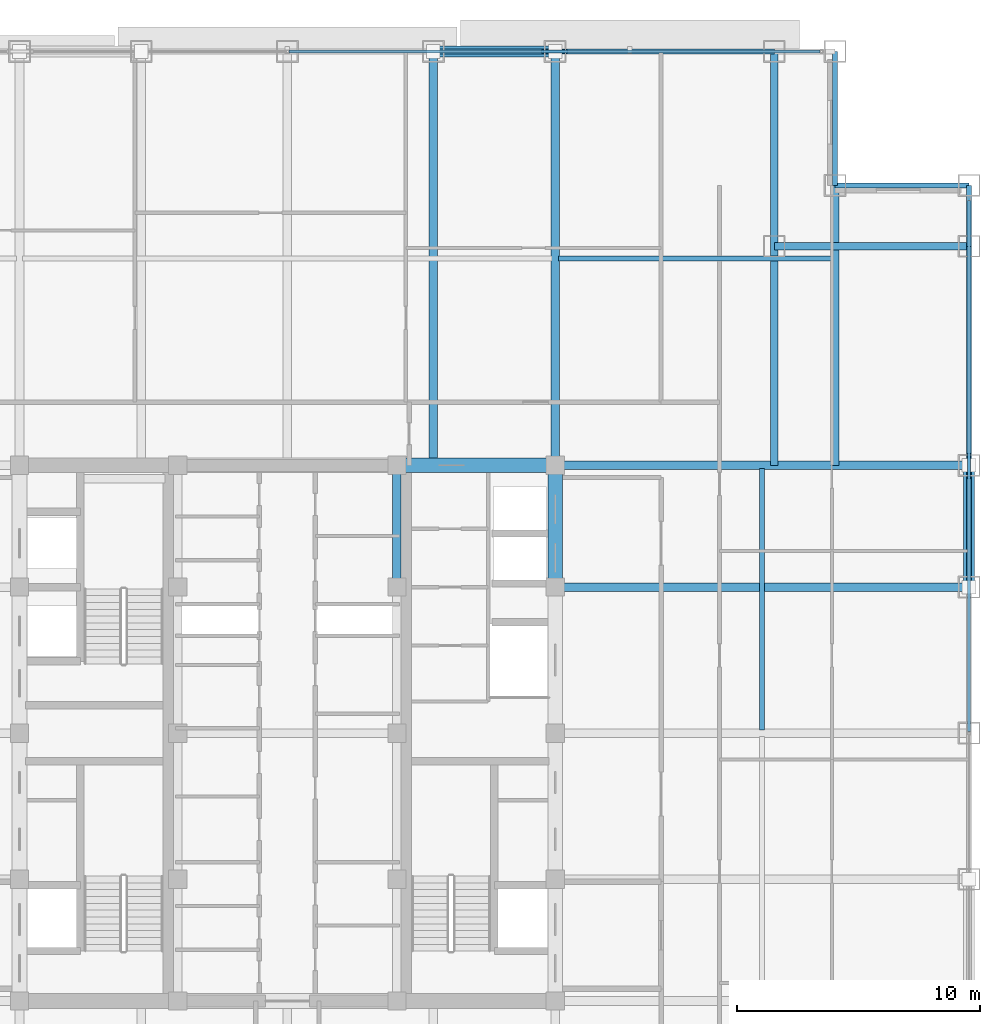
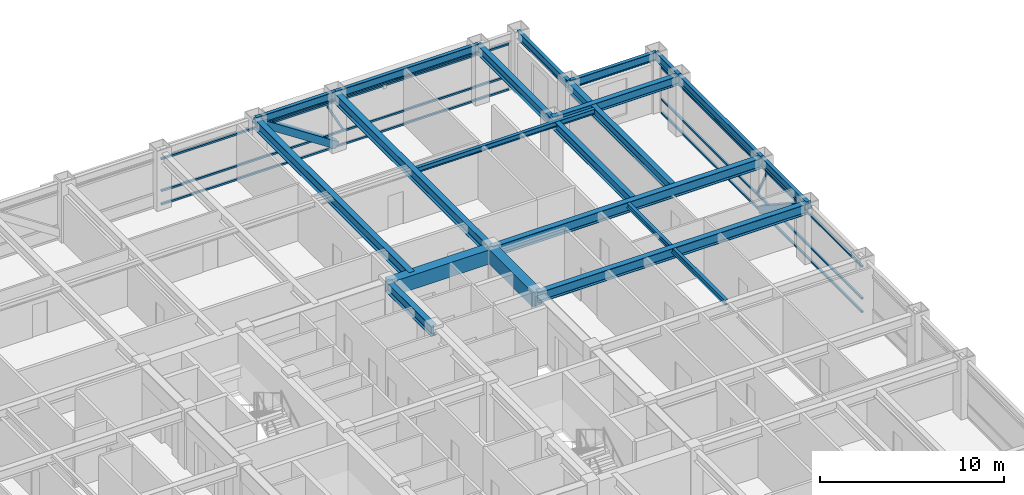
# One storey, part 17 of 29: 19 beams, 10 members, 2 elements without a shape of their own.
"""IFC4 building model written with IfcOpenShell, lengths in metres."""

import ifcopenshell
import ifcopenshell.guid

model = None  # the IFC model being written
_history = None  # IfcOwnerHistory: only IFC2X3 demands one
_inside = {}  # id of a spatial element -> (the spatial element, [elements in it])
_under = {}  # id of a project, library or spatial element -> (it, [spatial elements below it])
_declared = {}  # id of a project -> (the project, [libraries it declares])
_typed = {}  # id of a type object -> (the type object, [elements of that type])
_made_of = {}  # id of a material, layer set ... -> (it, [elements and type objects made of it])


def new_model(schema):
    """Start an empty IFC model of exactly this schema.

    Asked for "IFC4X3", IfcOpenShell would pick the latest addendum, in which some entities
    have other attributes; the version numbers below select the first issue.
    IFC2X3 requires an IfcOwnerHistory on every rooted entity: one is made here for all.
    """
    global model, _history
    if schema == "IFC4X3":
        model = ifcopenshell.file(schema_version=(4, 3, 0, 0))
    else:
        model = ifcopenshell.file(schema=schema)
    _inside.clear()
    _under.clear()
    _declared.clear()
    _typed.clear()
    _made_of.clear()
    _history = None
    if model.schema == "IFC2X3":
        org = make("IfcOrganization", Name="unknown")
        user = make(
            "IfcPersonAndOrganization",
            ThePerson=make("IfcPerson", FamilyName="unknown"),
            TheOrganization=org,
        )
        app = make(
            "IfcApplication",
            ApplicationDeveloper=org,
            Version="unknown",
            ApplicationFullName="unknown",
            ApplicationIdentifier="unknown",
        )
        _history = make(
            "IfcOwnerHistory",
            OwningUser=user,
            OwningApplication=app,
            ChangeAction="ADDED",
            CreationDate=0,
        )
    return model


def make(cls, **values):
    """One entity of the class cls with the attributes given. An attribute that is None is left unset."""
    return model.create_entity(
        cls, **{name: value for name, value in values.items() if value is not None}
    )


def rooted(cls, **values):
    """An entity with a GlobalId (a new one), such as an element, a storey or a relation."""
    return make(cls, GlobalId=ifcopenshell.guid.new(), OwnerHistory=_history, **values)


def si_unit(unit_type, name, prefix=None):
    """IfcSIUnit, for example si_unit("LENGTHUNIT", "METRE", prefix="MILLI")."""
    return make("IfcSIUnit", UnitType=unit_type, Prefix=prefix, Name=name)


def assignment(units):
    """IfcUnitAssignment: the units of a project."""
    return None if units is None else make("IfcUnitAssignment", Units=units)


def point(xyz):
    """IfcCartesianPoint."""
    return None if xyz is None else make("IfcCartesianPoint", Coordinates=xyz)


def direction(xyz):
    """IfcDirection."""
    return None if xyz is None else make("IfcDirection", DirectionRatios=xyz)


def frame(location, z_axis=None, x_axis=None):
    """IfcAxis2Placement3D, a coordinate frame: its origin and axes. An axis left out is left unset."""
    return make(
        "IfcAxis2Placement3D",
        Location=point(location),
        Axis=direction(z_axis),
        RefDirection=direction(x_axis),
    )


def frame_2d(location, x_axis=None):
    """IfcAxis2Placement2D, a coordinate frame in the plane: its origin and x axis."""
    return make(
        "IfcAxis2Placement2D", Location=point(location), RefDirection=direction(x_axis)
    )


def origin():
    """The frame at (0, 0, 0) with its axes left unset."""
    return frame((0.0, 0.0, 0.0))


def origin_2d():
    """The frame at (0, 0) in the plane with its x axis left unset."""
    return frame_2d((0.0, 0.0))


def place(relative_to, where):
    """IfcLocalPlacement: puts the frame where relative to a parent placement (None: the world)."""
    return make(
        "IfcLocalPlacement", PlacementRelTo=relative_to, RelativePlacement=where
    )


def context(
    kind, dimensions, precision=None, world=None, true_north=None, identifier=None
):
    """IfcGeometricRepresentationContext, for example the 3D "Model" context."""
    return make(
        "IfcGeometricRepresentationContext",
        ContextIdentifier=identifier,
        ContextType=kind,
        CoordinateSpaceDimension=dimensions,
        Precision=precision,
        WorldCoordinateSystem=world,
        TrueNorth=true_north,
    )


def subcontext(parent, identifier, kind, view, scale=None):
    """IfcGeometricRepresentationSubContext, for example "Body" below "Model"."""
    return make(
        "IfcGeometricRepresentationSubContext",
        ContextIdentifier=identifier,
        ContextType=kind,
        ParentContext=parent,
        TargetScale=scale,
        TargetView=view,
    )


def project(units=None, contexts=None):
    """IfcProject with its units and contexts."""
    return rooted(
        "IfcProject",
        Name="project",
        RepresentationContexts=contexts,
        UnitsInContext=assignment(units),
    )


def spatial(cls, under=None, at=None, **own):
    """A site, building, storey or space (cls), placed at a placement, below another one or the project."""
    s = rooted(cls, ObjectPlacement=at, **own)
    if under is not None:
        _under.setdefault(under.id(), (under, []))[1].append(s)
    return s


def profile(cls, at=None, kind="AREA", **sizes):
    """A parametric profile (cls). Its sizes go by their IFC names, for example OverallWidth=200.0."""
    return make(cls, ProfileType=kind, Position=at, **sizes)


def rectangle(**sizes):
    """IfcRectangleProfileDef."""
    return profile("IfcRectangleProfileDef", **sizes)


def hollow_rectangle(**sizes):
    """IfcRectangleHollowProfileDef."""
    return profile("IfcRectangleHollowProfileDef", **sizes)


def i_section(**sizes):
    """IfcIShapeProfileDef."""
    return profile("IfcIShapeProfileDef", **sizes)


def extrude(swept, where, along, depth):
    """IfcExtrudedAreaSolid: the profile swept, set in the frame where, extruded along a direction by depth."""
    return make(
        "IfcExtrudedAreaSolid",
        SweptArea=swept,
        Position=where,
        ExtrudedDirection=direction(along),
        Depth=depth,
    )


def shape(context_of_items, identifier, shape_type, items):
    """IfcShapeRepresentation: the items that make up one representation, for example the "Body"."""
    return make(
        "IfcShapeRepresentation",
        ContextOfItems=context_of_items,
        RepresentationIdentifier=identifier,
        RepresentationType=shape_type,
        Items=items,
    )


def source(mapping_origin, context_of_items, identifier, shape_type, items):
    """IfcRepresentationMap: a shape defined once, which mapped items show again and again."""
    return make(
        "IfcRepresentationMap",
        MappingOrigin=mapping_origin,
        MappedRepresentation=shape(context_of_items, identifier, shape_type, items),
    )


def transform(
    local_origin,
    x_axis=None,
    y_axis=None,
    z_axis=None,
    scale=None,
    scale2=None,
    scale3=None,
    uniform=True,
):
    """IfcCartesianTransformationOperator3D, or its non-uniform kind. x_axis, y_axis, z_axis: its Axis1, 2, 3."""
    if uniform:
        return make(
            "IfcCartesianTransformationOperator3D",
            Axis1=direction(x_axis),
            Axis2=direction(y_axis),
            LocalOrigin=point(local_origin),
            Scale=scale,
            Axis3=direction(z_axis),
        )
    return make(
        "IfcCartesianTransformationOperator3DnonUniform",
        Axis1=direction(x_axis),
        Axis2=direction(y_axis),
        LocalOrigin=point(local_origin),
        Scale=scale,
        Axis3=direction(z_axis),
        Scale2=scale2,
        Scale3=scale3,
    )


def mapped(mapping_source, mapping_target):
    """IfcMappedItem: shows the shape of a source again, moved by a transform."""
    return make(
        "IfcMappedItem", MappingSource=mapping_source, MappingTarget=mapping_target
    )


def material(Name=None, Category=None):
    """IfcMaterial."""
    return make("IfcMaterial", Name=Name, Category=Category)


def material_profile(
    of_material, cross_section, Name=None, Category=None, Priority=None
):
    """IfcMaterialProfile: a cross section and its material."""
    return make(
        "IfcMaterialProfile",
        Name=Name,
        Material=of_material,
        Profile=cross_section,
        Priority=Priority,
        Category=Category,
    )


def profile_set(profiles, Name=None, composite=None):
    """IfcMaterialProfileSet."""
    return make(
        "IfcMaterialProfileSet",
        Name=Name,
        MaterialProfiles=profiles,
        CompositeProfile=composite,
    )


def made_of(thing, what):
    """Note that an element or type object is made of a material, layer set ...; save() writes the relation."""
    if what is not None:
        _made_of.setdefault(what.id(), (what, []))[1].append(thing)
    return thing


def type_object(cls, material=None, **own):
    """A type object (cls), such as IfcWallType, which elements share."""
    return made_of(rooted(cls, **own), material)


def element(
    cls,
    number,
    at=None,
    inside=None,
    cuts=None,
    type_object=None,
    material=None,
    context=None,
    identifier="Body",
    shape_type=None,
    held_by="IfcProductDefinitionShape",
    body=None,
    shapes=None,
    **own,
):
    """One element of the class cls, such as IfcWall. Its Tag is "e" and its number.

    at: its placement. inside: the storey or other place that contains it. cuts: it is an
    opening in that element (IfcRelVoidsElement). A single representation is given by context,
    identifier, shape_type and body (its items); several are given by shapes. held_by: the class
    of the entity that holds the representations. save() writes the other relations.
    """
    e = rooted(cls, Tag="e%d" % number, ObjectPlacement=at, **own)
    if body is not None:
        shapes = [shape(context, identifier, shape_type, body)]
    if shapes is not None:
        e.Representation = make(held_by, Representations=shapes)
    if inside is not None:
        _inside.setdefault(inside.id(), (inside, []))[1].append(e)
    if cuts is not None:
        rooted(
            "IfcRelVoidsElement", RelatingBuildingElement=cuts, RelatedOpeningElement=e
        )
    if type_object is not None:
        _typed.setdefault(type_object.id(), (type_object, []))[1].append(e)
    return made_of(e, material)


def aggregate(whole, parts):
    """IfcRelAggregates: a whole, such as a stair, and the parts it consists of."""
    return rooted("IfcRelAggregates", RelatingObject=whole, RelatedObjects=parts)


def save(model, path):
    """Write the relations noted so far, then the file.

    IfcRelAggregates (storeys below a building ...), IfcRelContainedInSpatialStructure (elements
    in a storey), IfcRelDefinesByType, IfcRelAssociatesMaterial and IfcRelDeclares: one each for
    every whole, place, type object, material and project.
    """
    for whole, parts in _under.values():
        aggregate(whole, parts)
    for where, things in _inside.values():
        rooted(
            "IfcRelContainedInSpatialStructure",
            RelatedElements=things,
            RelatingStructure=where,
        )
    for kind, things in _typed.values():
        rooted("IfcRelDefinesByType", RelatedObjects=things, RelatingType=kind)
    for what, things in _made_of.values():
        rooted("IfcRelAssociatesMaterial", RelatedObjects=things, RelatingMaterial=what)
    for by, libraries in _declared.values():
        rooted("IfcRelDeclares", RelatingContext=by, RelatedDefinitions=libraries)
    model.write(path)


model = new_model("IFC4")

# Units and contexts
model_context = context("Model", 3, precision=1e-05, world=origin(), true_north=direction((0.0, 1.0)))
body_context = subcontext(model_context, "Body", "Model", "MODEL_VIEW")
ifc_project = project(units=[si_unit("LENGTHUNIT", "METRE"), si_unit("AREAUNIT", "SQUARE_METRE"), si_unit("VOLUMEUNIT", "CUBIC_METRE"), si_unit("PLANEANGLEUNIT", "RADIAN"), si_unit("MASSUNIT", "GRAM", prefix="KILO")], contexts=[model_context])

# Site, building, storey
site_placement = place(None, origin())
site = spatial("IfcSite", under=ifc_project, at=site_placement, CompositionType="ELEMENT")
building_placement = place(site_placement, origin())
building = spatial("IfcBuilding", under=site, at=building_placement, Name="Khorayat Bourse Tower", CompositionType="ELEMENT")
storey_placement = place(building_placement, frame((0.0, 0.0, 277.5)))
storey = spatial("IfcBuildingStorey", under=building, at=storey_placement, Name="L65", CompositionType="ELEMENT", Elevation=277.5)

# Beams
ifc_material_1 = material(Name="Steel ASTM A992 Grade 50", Category="steel")
ifc_material_profile_1 = material_profile(ifc_material_1, i_section(OverallWidth=0.35498046875, OverallDepth=0.695068359375, WebThickness=0.015380859375, FlangeThickness=0.02490234375, FilletRadius=0.01806640625, at=origin_2d()), Name="W690X217")
ifc_profile_set_1 = profile_set([ifc_material_profile_1], Name="Steel ASTM A992 Grade 50")
beam_type_1 = type_object("IfcBeamType", Name="BM-GIRD-690", PredefinedType="BEAM", material=ifc_profile_set_1)
shared_shape_1 = source(origin(), body_context, "Body", "SweptSolid", [
    extrude(i_section(OverallWidth=0.35498046875, OverallDepth=0.695068359375, WebThickness=0.015380859375, FlangeThickness=0.02490234375, FilletRadius=0.01806640625, at=origin_2d()), origin(), (0.0, 0.0, 1.0), 5.0),
])
beam_1_placement = place(storey_placement, frame((4.5, 6.0, 3.4326171875), z_axis=(0.0, 1.0, 0.0), x_axis=(-1.0, 0.0, 0.0)))
element("IfcBeam", 1, at=beam_1_placement, inside=storey, type_object=beam_type_1, Name="L65 BM-GIRD-690 BM-L65-CRX-12", PredefinedType="BEAM", context=body_context, shape_type="MappedRepresentation", body=[
    mapped(shared_shape_1, transform((0.0, 0.0, 0.0), scale=1.0)),
])
ifc_material_profile_2 = material_profile(ifc_material_1, i_section(OverallWidth=0.324951171875, OverallDepth=0.615966796875, WebThickness=0.013916015625, FlangeThickness=0.021484375, FilletRadius=0.01611328125, at=origin_2d()), Name="W610X174")
ifc_profile_set_2 = profile_set([ifc_material_profile_2], Name="Steel ASTM A992 Grade 50")
beam_type_2 = type_object("IfcBeamType", Name="BM-GIRD-610", PredefinedType="BEAM", material=ifc_profile_set_2)
shared_shape_2 = source(origin(), body_context, "Body", "SweptSolid", [
    extrude(i_section(OverallWidth=0.324951171875, OverallDepth=0.615966796875, WebThickness=0.013916015625, FlangeThickness=0.021484375, FilletRadius=0.01611328125, at=origin_2d()), origin(), (0.0, 0.0, 1.0), 17.0),
])
beam_2_placement = place(storey_placement, frame((20.0, 11.0, 3.471923828125), z_axis=(0.0, 1.0, 0.0), x_axis=(-1.0, 0.0, 0.0)))
element("IfcBeam", 2, at=beam_2_placement, inside=storey, type_object=beam_type_2, Name="L65 BM-GIRD-610 BM-L65-CNRY-087", PredefinedType="BEAM", context=body_context, shape_type="MappedRepresentation", body=[
    mapped(shared_shape_2, transform((0.0, 0.0, 0.0), scale=1.0)),
])
ifc_material_2 = material(Name="Concrete C60/75", Category="concrete")
ifc_material_profile_3 = material_profile(ifc_material_2, rectangle(XDim=0.60009765625, YDim=0.949951171875, at=origin_2d()), Name="RC 600x950")
ifc_profile_set_3 = profile_set([ifc_material_profile_3], Name="Concrete C60/75")
beam_type_3 = type_object("IfcBeamType", Name="BM-COUP-950", PredefinedType="BEAM", material=ifc_profile_set_3)
shared_shape_3 = source(origin(), body_context, "Body", "SweptSolid", [
    extrude(rectangle(XDim=0.60009765625, YDim=0.949951171875, at=origin_2d()), origin(), (0.0, 0.0, 1.0), 5.0),
])
beam_3_placement = place(storey_placement, frame((11.0, 6.0, 3.304931640625), z_axis=(0.0, 1.0, 0.0), x_axis=(-1.0, 0.0, 0.0)))
element("IfcBeam", 3, at=beam_3_placement, inside=storey, type_object=beam_type_3, Name="L65 BM-COUP-950 BM-L65-CRX-16", PredefinedType="BEAM", context=body_context, shape_type="MappedRepresentation", body=[
    mapped(shared_shape_3, transform((0.0, 0.0, 0.0), scale=1.0)),
])
shared_shape_4 = source(origin(), body_context, "Body", "SweptSolid", [
    extrude(rectangle(XDim=0.60009765625, YDim=0.949951171875, at=origin_2d()), origin(), (0.0, 0.0, 1.0), 6.5),
])
beam_4_placement = place(storey_placement, frame((4.5, 11.0, 3.304931640625), z_axis=(1.0, 0.0, 0.0), x_axis=(0.0, 1.0, 0.0)))
element("IfcBeam", 4, at=beam_4_placement, inside=storey, type_object=beam_type_3, Name="L65 BM-COUP-950 BM-L65-CRY-22", PredefinedType="BEAM", context=body_context, shape_type="MappedRepresentation", body=[
    mapped(shared_shape_4, transform((0.0, 0.0, 0.0), scale=1.0)),
])

# Members
ifc_material_3 = material(Name="Steel EN 10025-4 S460M", Category="steel")
ifc_material_profile_4 = material_profile(ifc_material_3, hollow_rectangle(XDim=0.449951171875, YDim=0.449951171875, WallThickness=0.02490234375, at=origin_2d()), Name="HSS 450x450x25")
ifc_profile_set_4 = profile_set([ifc_material_profile_4], Name="Steel EN 10025-4 S460M")
member_type_1 = type_object("IfcMemberType", Name="MBR-TUBE-450", PredefinedType="BRACE", material=ifc_profile_set_4)
shared_shape_5 = source(origin(), body_context, "Body", "SweptSolid", [
    extrude(hollow_rectangle(XDim=0.449951171875, YDim=0.449951171875, WallThickness=0.02490234375, at=origin_2d()), origin(), (0.0, 0.0, 1.0), 5.979736328125),
])
for number, where, z_axis, x_axis, name in (
    (5, (6.0, 28.0, 3.530029296875), (0.836141536525, 0.0, -0.548513747227), (0.0, 1.0, 0.0), "L65 Perimeter Tube Brace 04"),
    (6, (28.0, 6.0, 3.530029296875), (0.0, 0.836141536525, -0.548513747227), (-1.0, 0.0, 0.0), "L65 Perimeter Tube Brace 08"),
):
    element("IfcMember", number, at=place(storey_placement, frame(where, z_axis=z_axis, x_axis=x_axis)), inside=storey, type_object=member_type_1, Name=name, PredefinedType="BRACE", context=body_context, shape_type="MappedRepresentation", body=[
        mapped(shared_shape_5, transform((0.0, 0.0, 0.0), scale=1.0)),
    ])

# Beams
shared_shape_6 = source(origin(), body_context, "Body", "SweptSolid", [
    extrude(i_section(OverallWidth=0.35498046875, OverallDepth=0.695068359375, WebThickness=0.015380859375, FlangeThickness=0.02490234375, FilletRadius=0.01806640625, at=origin_2d()), origin(), (0.0, 0.0, 1.0), 17.0),
])
for number, where, z_axis, x_axis, name in (
    (7, (6.0, 11.0, 3.4326171875), (0.0, 1.0, 0.0), (-1.0, 0.0, 0.0), "L65 BM-GIRD-690 BM-L65-RADY-070"),
    (8, (11.0, 11.0, 3.4326171875), (0.0, 1.0, 0.0), (-1.0, 0.0, 0.0), "L65 BM-GIRD-690 BM-L65-RADY-072"),
    (9, (11.0, 6.0, 3.4326171875), (1.0, 0.0, 0.0), (0.0, 1.0, 0.0), "L65 BM-GIRD-690 BM-L65-RADX-080"),
    (10, (11.0, 11.0, 3.4326171875), (1.0, 0.0, 0.0), (0.0, 1.0, 0.0), "L65 BM-GIRD-690 BM-L65-RADX-082"),
):
    element("IfcBeam", number, at=place(storey_placement, frame(where, z_axis=z_axis, x_axis=x_axis)), inside=storey, type_object=beam_type_1, Name=name, PredefinedType="BEAM", context=body_context, shape_type="MappedRepresentation", body=[
        mapped(shared_shape_6, transform((0.0, 0.0, 0.0), scale=1.0)),
    ])
shared_shape_7 = source(origin(), body_context, "Body", "SweptSolid", [
    extrude(i_section(OverallWidth=0.324951171875, OverallDepth=0.615966796875, WebThickness=0.013916015625, FlangeThickness=0.021484375, FilletRadius=0.01611328125, at=origin_2d()), origin(), (0.0, 0.0, 1.0), 11.5),
])
beam_5_placement = place(storey_placement, frame((22.5, 11.0, 3.471923828125), z_axis=(0.0, 1.0, 0.0), x_axis=(-1.0, 0.0, 0.0)))
element("IfcBeam", 11, at=beam_5_placement, inside=storey, type_object=beam_type_2, Name="L65 BM-GIRD-610 BM-L65-CNRY-091", PredefinedType="BEAM", context=body_context, shape_type="MappedRepresentation", body=[
    mapped(shared_shape_7, transform((0.0, 0.0, 0.0), scale=1.0)),
])
shared_shape_8 = source(origin(), body_context, "Body", "SweptSolid", [
    extrude(i_section(OverallWidth=0.324951171875, OverallDepth=0.615966796875, WebThickness=0.013916015625, FlangeThickness=0.021484375, FilletRadius=0.01611328125, at=origin_2d()), origin(), (0.0, 0.0, 1.0), 8.0),
])
beam_6_placement = place(storey_placement, frame((20.0, 20.0, 3.471923828125), z_axis=(1.0, 0.0, 0.0), x_axis=(0.0, 1.0, 0.0)))
element("IfcBeam", 12, at=beam_6_placement, inside=storey, type_object=beam_type_2, Name="L65 BM-GIRD-610 BM-L65-CNRX-094", PredefinedType="BEAM", context=body_context, shape_type="MappedRepresentation", body=[
    mapped(shared_shape_8, transform((0.0, 0.0, 0.0), scale=1.0)),
])
ifc_material_profile_5 = material_profile(ifc_material_1, i_section(OverallWidth=0.202880859375, OverallDepth=0.346923828125, WebThickness=0.0078125, FlangeThickness=0.013427734375, FilletRadius=0.010009765625, at=origin_2d()), Name="W360X64")
ifc_profile_set_5 = profile_set([ifc_material_profile_5], Name="Steel ASTM A992 Grade 50")
beam_type_4 = type_object("IfcBeamType", Name="BM-JOIST-360", PredefinedType="JOIST", material=ifc_profile_set_5)
shared_shape_9 = source(origin(), body_context, "Body", "SweptSolid", [
    extrude(i_section(OverallWidth=0.202880859375, OverallDepth=0.346923828125, WebThickness=0.0078125, FlangeThickness=0.013427734375, FilletRadius=0.010009765625, at=origin_2d()), origin(), (0.0, 0.0, 1.0), 11.240234375),
])
beam_7_placement = place(storey_placement, frame((11.1298828125, 19.5, 3.6064453125), z_axis=(1.0, 0.0, 0.0), x_axis=(0.0, 1.0, 0.0)))
element("IfcBeam", 13, at=beam_7_placement, inside=storey, type_object=beam_type_4, Name="L65 BM-JOIST-360 BM-L65-JSTX-101", PredefinedType="JOIST", context=body_context, shape_type="MappedRepresentation", body=[
    mapped(shared_shape_9, transform((0.0, 0.0, 0.0), scale=1.0)),
])
shared_shape_10 = source(origin(), body_context, "Body", "SweptSolid", [
    extrude(i_section(OverallWidth=0.202880859375, OverallDepth=0.346923828125, WebThickness=0.0078125, FlangeThickness=0.013427734375, FilletRadius=0.010009765625, at=origin_2d()), origin(), (0.0, 0.0, 1.0), 10.740234375),
])
beam_8_placement = place(storey_placement, frame((19.5, 0.1298828125, 3.6064453125), z_axis=(0.0, 1.0, 0.0), x_axis=(-1.0, 0.0, 0.0)))
element("IfcBeam", 14, at=beam_8_placement, inside=storey, type_object=beam_type_4, Name="L65 BM-JOIST-360 BM-L65-JSTY-105", PredefinedType="JOIST", context=body_context, shape_type="MappedRepresentation", body=[
    mapped(shared_shape_10, transform((0.0, 0.0, 0.0), scale=1.0)),
])
ifc_material_profile_6 = material_profile(ifc_material_1, i_section(OverallWidth=0.214111328125, OverallDepth=0.549072265625, WebThickness=0.0146484375, FlangeThickness=0.023681640625, FilletRadius=0.013916015625, at=origin_2d()), Name="W530X138")
ifc_profile_set_6 = profile_set([ifc_material_profile_6], Name="Steel ASTM A992 Grade 50")
beam_type_5 = type_object("IfcBeamType", Name="BM-SPAN-530", PredefinedType="SPANDREL", material=ifc_profile_set_6)
shared_shape_11 = source(origin(), body_context, "Body", "SweptSolid", [
    extrude(i_section(OverallWidth=0.214111328125, OverallDepth=0.549072265625, WebThickness=0.0146484375, FlangeThickness=0.023681640625, FilletRadius=0.013916015625, at=origin_2d()), origin(), (0.0, 0.0, 1.0), 2.5),
])
beam_9_placement = place(storey_placement, frame((28.0, 20.0, 3.505615234375), z_axis=(0.0, 1.0, 0.0), x_axis=(-1.0, 0.0, 0.0)))
element("IfcBeam", 15, at=beam_9_placement, inside=storey, type_object=beam_type_5, Name="L65 BM-SPAN-530 BM-L65-SPN-041", PredefinedType="SPANDREL", context=body_context, shape_type="MappedRepresentation", body=[
    mapped(shared_shape_11, transform((0.0, 0.0, 0.0), scale=1.0)),
])
shared_shape_12 = source(origin(), body_context, "Body", "SweptSolid", [
    extrude(i_section(OverallWidth=0.214111328125, OverallDepth=0.549072265625, WebThickness=0.0146484375, FlangeThickness=0.023681640625, FilletRadius=0.013916015625, at=origin_2d()), origin(), (0.0, 0.0, 1.0), 9.0),
])
for number, where, z_axis, x_axis, name in (
    (16, (28.0, 11.0, 3.505615234375), (0.0, 1.0, 0.0), (-1.0, 0.0, 0.0), "L65 BM-SPAN-530 BM-L65-SPN-040"),
    (17, (11.0, 28.0, 3.505615234375), (1.0, 0.0, 0.0), (0.0, 1.0, 0.0), "L65 BM-SPAN-530 BM-L65-SPN-045"),
):
    element("IfcBeam", number, at=place(storey_placement, frame(where, z_axis=z_axis, x_axis=x_axis)), inside=storey, type_object=beam_type_5, Name=name, PredefinedType="SPANDREL", context=body_context, shape_type="MappedRepresentation", body=[
        mapped(shared_shape_12, transform((0.0, 0.0, 0.0), scale=1.0)),
    ])
shared_shape_13 = source(origin(), body_context, "Body", "SweptSolid", [
    extrude(i_section(OverallWidth=0.214111328125, OverallDepth=0.549072265625, WebThickness=0.0146484375, FlangeThickness=0.023681640625, FilletRadius=0.013916015625, at=origin_2d()), origin(), (0.0, 0.0, 1.0), 5.0),
])
for number, where, z_axis, x_axis, name in (
    (18, (28.0, 6.0, 3.505615234375), (0.0, 1.0, 0.0), (-1.0, 0.0, 0.0), "L65 BM-SPAN-530 BM-L65-SPN-039"),
    (19, (6.0, 28.0, 3.505615234375), (1.0, 0.0, 0.0), (0.0, 1.0, 0.0), "L65 BM-SPAN-530 BM-L65-SPN-046"),
):
    element("IfcBeam", number, at=place(storey_placement, frame(where, z_axis=z_axis, x_axis=x_axis)), inside=storey, type_object=beam_type_5, Name=name, PredefinedType="SPANDREL", context=body_context, shape_type="MappedRepresentation", body=[
        mapped(shared_shape_13, transform((0.0, 0.0, 0.0), scale=1.0)),
    ])
shared_shape_14 = source(origin(), body_context, "Body", "SweptSolid", [
    extrude(i_section(OverallWidth=0.214111328125, OverallDepth=0.549072265625, WebThickness=0.0146484375, FlangeThickness=0.023681640625, FilletRadius=0.013916015625, at=origin_2d()), origin(), (0.0, 0.0, 1.0), 5.5),
])
for number, where, z_axis, x_axis, name in (
    (20, (22.5, 22.5, 3.505615234375), (1.0, 0.0, 0.0), (0.0, 1.0, 0.0), "L65 BM-SPAN-530 BM-L65-SPN-042"),
    (21, (22.5, 22.5, 3.505615234375), (0.0, 1.0, 0.0), (-1.0, 0.0, 0.0), "L65 BM-SPAN-530 BM-L65-SPN-043"),
):
    element("IfcBeam", number, at=place(storey_placement, frame(where, z_axis=z_axis, x_axis=x_axis)), inside=storey, type_object=beam_type_5, Name=name, PredefinedType="SPANDREL", context=body_context, shape_type="MappedRepresentation", body=[
        mapped(shared_shape_14, transform((0.0, 0.0, 0.0), scale=1.0)),
    ])

# Curtain wall, member
ifc_material_4 = material(Name="Aluminium EN AW-6063 T6", Category="aluminium")
curtain_wall_type = type_object("IfcCurtainWallType", Name="CW-SYS-04", PredefinedType="NOTDEFINED", material=ifc_material_4)
curtain_wall_1_placement = place(storey_placement, origin())
curtain_wall_1 = element("IfcCurtainWall", 22, at=curtain_wall_1_placement, inside=storey, type_object=curtain_wall_type, Name="L65 Curtain Wall CW-L65-N1", PredefinedType="NOTDEFINED")
ifc_material_profile_7 = material_profile(ifc_material_4, hollow_rectangle(XDim=0.1201171875, YDim=0.1201171875, WallThickness=0.0048828125, at=origin_2d()), Name="ALU 120x120x5")
ifc_profile_set_7 = profile_set([ifc_material_profile_7], Name="Aluminium EN AW-6063 T6")
member_type_2 = type_object("IfcMemberType", Name="CWM-DIAG-120", PredefinedType="MULLION", material=ifc_profile_set_7)
shared_shape_15 = source(origin(), body_context, "Body", "SweptSolid", [
    extrude(hollow_rectangle(XDim=0.1201171875, YDim=0.1201171875, WallThickness=0.0048828125, at=origin_2d()), origin(), (0.0, 0.0, 1.0), 2.0791015625),
])
member_1_placement = place(storey_placement, frame((11.4541015625, 28.0, 1.090087890625), z_axis=(-0.465717394116, 0.0, 0.884933505309), x_axis=(0.0, -1.0, 0.0)))
member_1 = element("IfcMember", 23, at=member_1_placement, type_object=member_type_2, Name="CW-L65-N1 Faceted Diagonal Mullion 2", PredefinedType="MULLION", context=body_context, shape_type="MappedRepresentation", body=[
    mapped(shared_shape_15, transform((0.0, 0.0, 0.0), scale=1.0)),
])

curtain_wall_2_placement = place(storey_placement, origin())
curtain_wall_2 = element("IfcCurtainWall", 24, at=curtain_wall_2_placement, inside=storey, type_object=curtain_wall_type, Name="L65 Curtain Wall CW-L65-E1", PredefinedType="NOTDEFINED")
member_2_placement = place(storey_placement, frame((28.0, 11.4541015625, 1.090087890625), z_axis=(0.0, -0.465717394116, 0.884933505309), x_axis=(1.0, 0.0, 0.0)))
member_2 = element("IfcMember", 25, at=member_2_placement, type_object=member_type_2, Name="CW-L65-E1 Faceted Diagonal Mullion 2", PredefinedType="MULLION", context=body_context, shape_type="MappedRepresentation", body=[
    mapped(shared_shape_15, transform((0.0, 0.0, 0.0), scale=1.0)),
])

# Member
ifc_material_profile_8 = material_profile(ifc_material_4, hollow_rectangle(XDim=0.1201171875, YDim=0.1201171875, WallThickness=0.0048828125, at=origin_2d()), Name="ALU 120x120x5")
ifc_profile_set_8 = profile_set([ifc_material_profile_8], Name="Aluminium EN AW-6063 T6")
member_type_3 = type_object("IfcMemberType", Name="CWT-HORZ-120", PredefinedType="USERDEFINED", material=ifc_profile_set_8)
shared_shape_16 = source(origin(), body_context, "Body", "SweptSolid", [
    extrude(hollow_rectangle(XDim=0.1201171875, YDim=0.1201171875, WallThickness=0.0048828125, at=origin_2d()), origin(), (0.0, 0.0, 1.0), 21.81982421875),
])
member_3_placement = place(storey_placement, frame((0.06005859375, 28.0, 0.06005859375), z_axis=(1.0, 0.0, 0.0), x_axis=(0.0, 1.0, 0.0)))
member_3 = element("IfcMember", 26, at=member_3_placement, type_object=member_type_3, Name="CW-L65-N1 Horizontal Transom 2-1", ObjectType="TRANSOM", PredefinedType="USERDEFINED", context=body_context, shape_type="MappedRepresentation", body=[
    mapped(shared_shape_16, transform((0.0, 0.0, 0.0), scale=1.0)),
])

member_4_placement = place(storey_placement, frame((0.06005859375, 28.0, 0.949951171875), z_axis=(1.0, 0.0, 0.0), x_axis=(0.0, 1.0, 0.0)))
member_4 = element("IfcMember", 27, at=member_4_placement, type_object=member_type_3, Name="CW-L65-N1 Horizontal Transom 2-2", ObjectType="TRANSOM", PredefinedType="USERDEFINED", context=body_context, shape_type="MappedRepresentation", body=[
    mapped(shared_shape_16, transform((0.0, 0.0, 0.0), scale=1.0)),
])

member_5_placement = place(storey_placement, frame((0.06005859375, 28.0, 3.070068359375), z_axis=(1.0, 0.0, 0.0), x_axis=(0.0, 1.0, 0.0)))
member_5 = element("IfcMember", 28, at=member_5_placement, type_object=member_type_3, Name="CW-L65-N1 Horizontal Transom 2-3", ObjectType="TRANSOM", PredefinedType="USERDEFINED", context=body_context, shape_type="MappedRepresentation", body=[
    mapped(shared_shape_16, transform((0.0, 0.0, 0.0), scale=1.0)),
])

aggregate(curtain_wall_1, [member_3, member_4, member_5, member_1])

member_6_placement = place(storey_placement, frame((28.0, 0.06005859375, 0.06005859375), z_axis=(0.0, 1.0, 0.0), x_axis=(-1.0, 0.0, 0.0)))
member_6 = element("IfcMember", 29, at=member_6_placement, type_object=member_type_3, Name="CW-L65-E1 Horizontal Transom 2-1", ObjectType="TRANSOM", PredefinedType="USERDEFINED", context=body_context, shape_type="MappedRepresentation", body=[
    mapped(shared_shape_16, transform((0.0, 0.0, 0.0), scale=1.0)),
])

member_7_placement = place(storey_placement, frame((28.0, 0.06005859375, 0.949951171875), z_axis=(0.0, 1.0, 0.0), x_axis=(-1.0, 0.0, 0.0)))
member_7 = element("IfcMember", 30, at=member_7_placement, type_object=member_type_3, Name="CW-L65-E1 Horizontal Transom 2-2", ObjectType="TRANSOM", PredefinedType="USERDEFINED", context=body_context, shape_type="MappedRepresentation", body=[
    mapped(shared_shape_16, transform((0.0, 0.0, 0.0), scale=1.0)),
])

member_8_placement = place(storey_placement, frame((28.0, 0.06005859375, 3.070068359375), z_axis=(0.0, 1.0, 0.0), x_axis=(-1.0, 0.0, 0.0)))
member_8 = element("IfcMember", 31, at=member_8_placement, type_object=member_type_3, Name="CW-L65-E1 Horizontal Transom 2-3", ObjectType="TRANSOM", PredefinedType="USERDEFINED", context=body_context, shape_type="MappedRepresentation", body=[
    mapped(shared_shape_16, transform((0.0, 0.0, 0.0), scale=1.0)),
])

aggregate(curtain_wall_2, [member_6, member_7, member_8, member_2])

save(model, "model.ifc")
